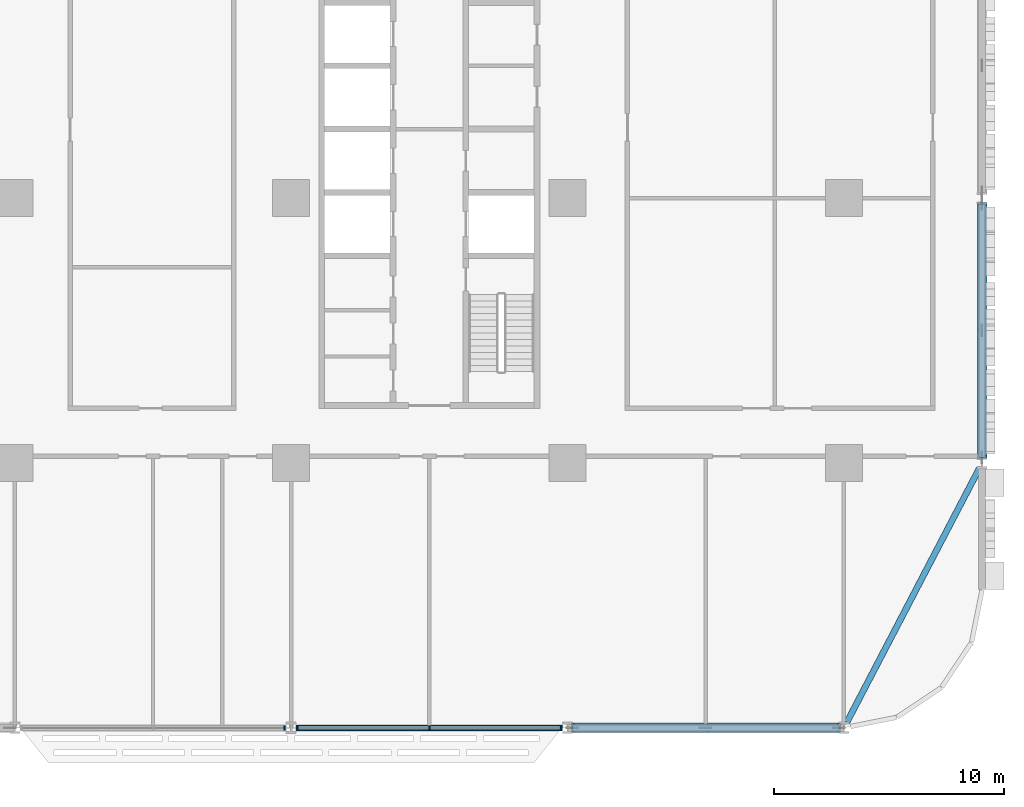
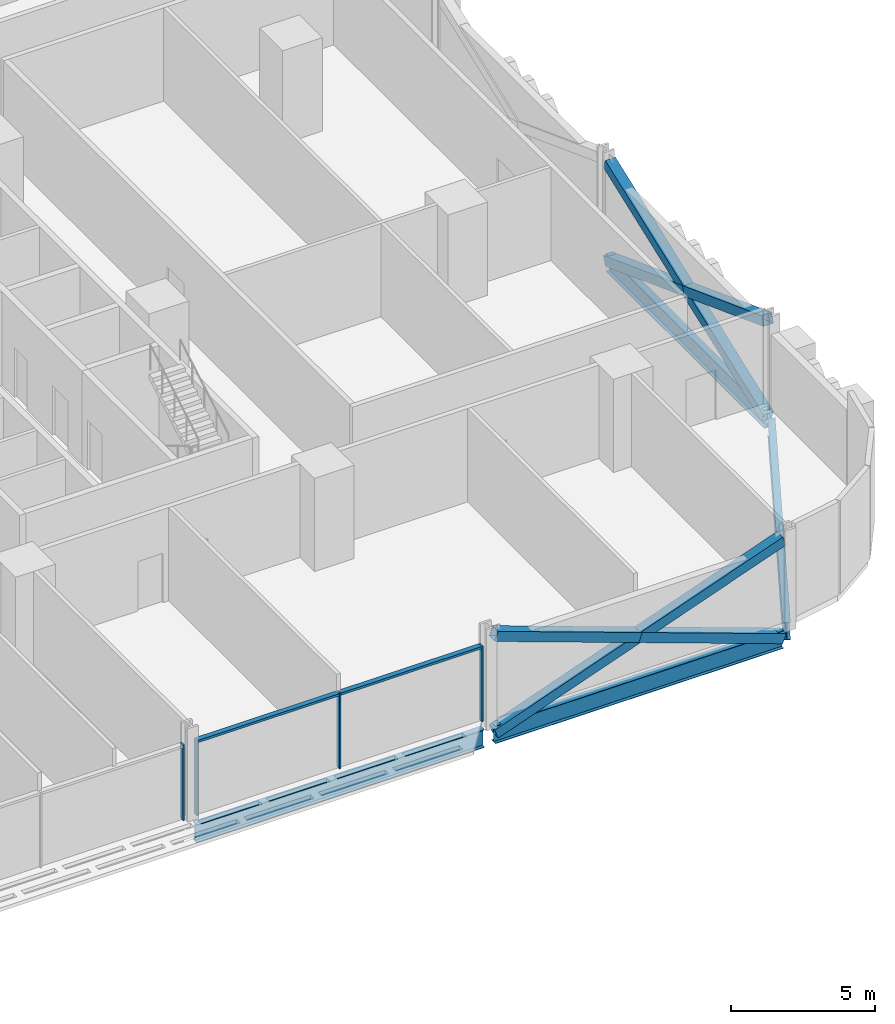
# One storey, part 7 of 29: 12 members, 4 beams, 2 elements without a shape of their own.
"""IFC4 building model written with IfcOpenShell, lengths in metres."""

import ifcopenshell
import ifcopenshell.guid

model = None  # the IFC model being written
_history = None  # IfcOwnerHistory: only IFC2X3 demands one
_inside = {}  # id of a spatial element -> (the spatial element, [elements in it])
_under = {}  # id of a project, library or spatial element -> (it, [spatial elements below it])
_declared = {}  # id of a project -> (the project, [libraries it declares])
_typed = {}  # id of a type object -> (the type object, [elements of that type])
_made_of = {}  # id of a material, layer set ... -> (it, [elements and type objects made of it])


def new_model(schema):
    """Start an empty IFC model of exactly this schema.

    Asked for "IFC4X3", IfcOpenShell would pick the latest addendum, in which some entities
    have other attributes; the version numbers below select the first issue.
    IFC2X3 requires an IfcOwnerHistory on every rooted entity: one is made here for all.
    """
    global model, _history
    if schema == "IFC4X3":
        model = ifcopenshell.file(schema_version=(4, 3, 0, 0))
    else:
        model = ifcopenshell.file(schema=schema)
    _inside.clear()
    _under.clear()
    _declared.clear()
    _typed.clear()
    _made_of.clear()
    _history = None
    if model.schema == "IFC2X3":
        org = make("IfcOrganization", Name="unknown")
        user = make(
            "IfcPersonAndOrganization",
            ThePerson=make("IfcPerson", FamilyName="unknown"),
            TheOrganization=org,
        )
        app = make(
            "IfcApplication",
            ApplicationDeveloper=org,
            Version="unknown",
            ApplicationFullName="unknown",
            ApplicationIdentifier="unknown",
        )
        _history = make(
            "IfcOwnerHistory",
            OwningUser=user,
            OwningApplication=app,
            ChangeAction="ADDED",
            CreationDate=0,
        )
    return model


def make(cls, **values):
    """One entity of the class cls with the attributes given. An attribute that is None is left unset."""
    return model.create_entity(
        cls, **{name: value for name, value in values.items() if value is not None}
    )


def rooted(cls, **values):
    """An entity with a GlobalId (a new one), such as an element, a storey or a relation."""
    return make(cls, GlobalId=ifcopenshell.guid.new(), OwnerHistory=_history, **values)


def si_unit(unit_type, name, prefix=None):
    """IfcSIUnit, for example si_unit("LENGTHUNIT", "METRE", prefix="MILLI")."""
    return make("IfcSIUnit", UnitType=unit_type, Prefix=prefix, Name=name)


def assignment(units):
    """IfcUnitAssignment: the units of a project."""
    return None if units is None else make("IfcUnitAssignment", Units=units)


def point(xyz):
    """IfcCartesianPoint."""
    return None if xyz is None else make("IfcCartesianPoint", Coordinates=xyz)


def direction(xyz):
    """IfcDirection."""
    return None if xyz is None else make("IfcDirection", DirectionRatios=xyz)


def frame(location, z_axis=None, x_axis=None):
    """IfcAxis2Placement3D, a coordinate frame: its origin and axes. An axis left out is left unset."""
    return make(
        "IfcAxis2Placement3D",
        Location=point(location),
        Axis=direction(z_axis),
        RefDirection=direction(x_axis),
    )


def frame_2d(location, x_axis=None):
    """IfcAxis2Placement2D, a coordinate frame in the plane: its origin and x axis."""
    return make(
        "IfcAxis2Placement2D", Location=point(location), RefDirection=direction(x_axis)
    )


def origin():
    """The frame at (0, 0, 0) with its axes left unset."""
    return frame((0.0, 0.0, 0.0))


def origin_2d():
    """The frame at (0, 0) in the plane with its x axis left unset."""
    return frame_2d((0.0, 0.0))


def place(relative_to, where):
    """IfcLocalPlacement: puts the frame where relative to a parent placement (None: the world)."""
    return make(
        "IfcLocalPlacement", PlacementRelTo=relative_to, RelativePlacement=where
    )


def context(
    kind, dimensions, precision=None, world=None, true_north=None, identifier=None
):
    """IfcGeometricRepresentationContext, for example the 3D "Model" context."""
    return make(
        "IfcGeometricRepresentationContext",
        ContextIdentifier=identifier,
        ContextType=kind,
        CoordinateSpaceDimension=dimensions,
        Precision=precision,
        WorldCoordinateSystem=world,
        TrueNorth=true_north,
    )


def subcontext(parent, identifier, kind, view, scale=None):
    """IfcGeometricRepresentationSubContext, for example "Body" below "Model"."""
    return make(
        "IfcGeometricRepresentationSubContext",
        ContextIdentifier=identifier,
        ContextType=kind,
        ParentContext=parent,
        TargetScale=scale,
        TargetView=view,
    )


def project(units=None, contexts=None):
    """IfcProject with its units and contexts."""
    return rooted(
        "IfcProject",
        Name="project",
        RepresentationContexts=contexts,
        UnitsInContext=assignment(units),
    )


def spatial(cls, under=None, at=None, **own):
    """A site, building, storey or space (cls), placed at a placement, below another one or the project."""
    s = rooted(cls, ObjectPlacement=at, **own)
    if under is not None:
        _under.setdefault(under.id(), (under, []))[1].append(s)
    return s


def profile(cls, at=None, kind="AREA", **sizes):
    """A parametric profile (cls). Its sizes go by their IFC names, for example OverallWidth=200.0."""
    return make(cls, ProfileType=kind, Position=at, **sizes)


def rectangle(**sizes):
    """IfcRectangleProfileDef."""
    return profile("IfcRectangleProfileDef", **sizes)


def hollow_rectangle(**sizes):
    """IfcRectangleHollowProfileDef."""
    return profile("IfcRectangleHollowProfileDef", **sizes)


def i_section(**sizes):
    """IfcIShapeProfileDef."""
    return profile("IfcIShapeProfileDef", **sizes)


def extrude(swept, where, along, depth):
    """IfcExtrudedAreaSolid: the profile swept, set in the frame where, extruded along a direction by depth."""
    return make(
        "IfcExtrudedAreaSolid",
        SweptArea=swept,
        Position=where,
        ExtrudedDirection=direction(along),
        Depth=depth,
    )


def shape(context_of_items, identifier, shape_type, items):
    """IfcShapeRepresentation: the items that make up one representation, for example the "Body"."""
    return make(
        "IfcShapeRepresentation",
        ContextOfItems=context_of_items,
        RepresentationIdentifier=identifier,
        RepresentationType=shape_type,
        Items=items,
    )


def material(Name=None, Category=None):
    """IfcMaterial."""
    return make("IfcMaterial", Name=Name, Category=Category)


def material_profile(
    of_material, cross_section, Name=None, Category=None, Priority=None
):
    """IfcMaterialProfile: a cross section and its material."""
    return make(
        "IfcMaterialProfile",
        Name=Name,
        Material=of_material,
        Profile=cross_section,
        Priority=Priority,
        Category=Category,
    )


def profile_set(profiles, Name=None, composite=None):
    """IfcMaterialProfileSet."""
    return make(
        "IfcMaterialProfileSet",
        Name=Name,
        MaterialProfiles=profiles,
        CompositeProfile=composite,
    )


def made_of(thing, what):
    """Note that an element or type object is made of a material, layer set ...; save() writes the relation."""
    if what is not None:
        _made_of.setdefault(what.id(), (what, []))[1].append(thing)
    return thing


def type_object(cls, material=None, **own):
    """A type object (cls), such as IfcWallType, which elements share."""
    return made_of(rooted(cls, **own), material)


def element(
    cls,
    number,
    at=None,
    inside=None,
    cuts=None,
    type_object=None,
    material=None,
    context=None,
    identifier="Body",
    shape_type=None,
    held_by="IfcProductDefinitionShape",
    body=None,
    shapes=None,
    **own,
):
    """One element of the class cls, such as IfcWall. Its Tag is "e" and its number.

    at: its placement. inside: the storey or other place that contains it. cuts: it is an
    opening in that element (IfcRelVoidsElement). A single representation is given by context,
    identifier, shape_type and body (its items); several are given by shapes. held_by: the class
    of the entity that holds the representations. save() writes the other relations.
    """
    e = rooted(cls, Tag="e%d" % number, ObjectPlacement=at, **own)
    if body is not None:
        shapes = [shape(context, identifier, shape_type, body)]
    if shapes is not None:
        e.Representation = make(held_by, Representations=shapes)
    if inside is not None:
        _inside.setdefault(inside.id(), (inside, []))[1].append(e)
    if cuts is not None:
        rooted(
            "IfcRelVoidsElement", RelatingBuildingElement=cuts, RelatedOpeningElement=e
        )
    if type_object is not None:
        _typed.setdefault(type_object.id(), (type_object, []))[1].append(e)
    return made_of(e, material)


def aggregate(whole, parts):
    """IfcRelAggregates: a whole, such as a stair, and the parts it consists of."""
    return rooted("IfcRelAggregates", RelatingObject=whole, RelatedObjects=parts)


def save(model, path):
    """Write the relations noted so far, then the file.

    IfcRelAggregates (storeys below a building ...), IfcRelContainedInSpatialStructure (elements
    in a storey), IfcRelDefinesByType, IfcRelAssociatesMaterial and IfcRelDeclares: one each for
    every whole, place, type object, material and project.
    """
    for whole, parts in _under.values():
        aggregate(whole, parts)
    for where, things in _inside.values():
        rooted(
            "IfcRelContainedInSpatialStructure",
            RelatedElements=things,
            RelatingStructure=where,
        )
    for kind, things in _typed.values():
        rooted("IfcRelDefinesByType", RelatedObjects=things, RelatingType=kind)
    for what, things in _made_of.values():
        rooted("IfcRelAssociatesMaterial", RelatedObjects=things, RelatingMaterial=what)
    for by, libraries in _declared.values():
        rooted("IfcRelDeclares", RelatingContext=by, RelatedDefinitions=libraries)
    model.write(path)


model = new_model("IFC4")

# Units and contexts
model_context = context("Model", 3, precision=1e-05, world=origin(), true_north=direction((0.0, 1.0)))
body_context = subcontext(model_context, "Body", "Model", "MODEL_VIEW")
ifc_project = project(units=[si_unit("LENGTHUNIT", "METRE"), si_unit("AREAUNIT", "SQUARE_METRE"), si_unit("VOLUMEUNIT", "CUBIC_METRE"), si_unit("PLANEANGLEUNIT", "RADIAN"), si_unit("MASSUNIT", "GRAM", prefix="KILO")], contexts=[model_context])

# Site, building, storey
site_placement = place(None, origin())
site = spatial("IfcSite", under=ifc_project, at=site_placement, CompositionType="ELEMENT")
building_placement = place(site_placement, origin())
building = spatial("IfcBuilding", under=site, at=building_placement, Name="Mahtab Terrace Research Tower", CompositionType="ELEMENT")
storey_placement = place(building_placement, frame((0.0, 0.0, 20.10009765625)))
storey = spatial("IfcBuildingStorey", under=building, at=storey_placement, Name="L04", CompositionType="ELEMENT", Elevation=20.10009765625)

# Members
ifc_material_1 = material(Name="Steel ASTM A500 Gr C", Category="steel")
ifc_material_profile_1 = material_profile(ifc_material_1, hollow_rectangle(XDim=0.406494140625, YDim=0.406494140625, WallThickness=0.01904296875, at=origin_2d()), Name="HSS16X16X3/4")
ifc_profile_set_1 = profile_set([ifc_material_profile_1], Name="Steel ASTM A500 Gr C")
member_type_1 = type_object("IfcMemberType", Name="HSS 16x16x3/4 brace XB161634", PredefinedType="BRACE", material=ifc_profile_set_1)
member_1_placement = place(storey_placement, frame((30.2158203125, -23.0, -0.64111328125), z_axis=(0.941388097231, 0.0, 0.337325436917), x_axis=(0.0, 1.0, 0.0)))
element("IfcMember", 1, at=member_1_placement, inside=storey, type_object=member_type_1, Name="Exoskeleton brace L04 18 a", PredefinedType="BRACE", context=body_context, shape_type="SweptSolid", body=[
    extrude(hollow_rectangle(XDim=0.406494140625, YDim=0.406494140625, WallThickness=0.01904296875, at=origin_2d()), origin(), (0.0, 0.0, 1.0), 12.28857421875),
])
for number, where, z_axis, x_axis, name in (
    (2, (41.7841796875, -23.0, -0.64111328125), (-0.941394406025, 0.0, 0.337307830185), (0.0, -1.0, 0.0), "Exoskeleton brace L04 18 b1"),
    (3, (36.0, -23.0, 1.431396484375), (-0.941381788192, 0.0, 0.337343043295), (0.0, -1.0, 0.0), "Exoskeleton brace L04 18 b2"),
):
    element("IfcMember", number, at=place(storey_placement, frame(where, z_axis=z_axis, x_axis=x_axis)), inside=storey, type_object=member_type_1, Name=name, PredefinedType="BRACE", context=body_context, shape_type="SweptSolid", body=[
        extrude(hollow_rectangle(XDim=0.406494140625, YDim=0.406494140625, WallThickness=0.01904296875, at=origin_2d()), origin(), (0.0, 0.0, 1.0), 6.144287109375),
    ])
member_2_placement = place(storey_placement, frame((48.0, -11.251220703125, -0.62548828125), z_axis=(0.0, 0.936668691391, 0.350216736563), x_axis=(-1.0, 0.0, 0.0)))
element("IfcMember", 4, at=member_2_placement, inside=storey, type_object=member_type_1, Name="Exoskeleton brace L04 20 a", PredefinedType="BRACE", context=body_context, shape_type="SweptSolid", body=[
    extrude(hollow_rectangle(XDim=0.406494140625, YDim=0.406494140625, WallThickness=0.01904296875, at=origin_2d()), origin(), (0.0, 0.0, 1.0), 11.746337890625),
])
for number, where, z_axis, x_axis, name in (
    (5, (48.0, -0.248779296875, -0.62548828125), (0.0, -0.936668691391, 0.350216736563), (1.0, 0.0, 0.0), "Exoskeleton brace L04 20 b1"),
    (6, (48.0, -5.75, 1.431396484375), (0.0, -0.936668691391, 0.350216736563), (1.0, 0.0, 0.0), "Exoskeleton brace L04 20 b2"),
):
    element("IfcMember", number, at=place(storey_placement, frame(where, z_axis=z_axis, x_axis=x_axis)), inside=storey, type_object=member_type_1, Name=name, PredefinedType="BRACE", context=body_context, shape_type="SweptSolid", body=[
        extrude(hollow_rectangle(XDim=0.406494140625, YDim=0.406494140625, WallThickness=0.01904296875, at=origin_2d()), origin(), (0.0, 0.0, 1.0), 5.873291015625),
    ])

# Curtain wall, member
ifc_material_2 = material(Name="Laboratory ribbon curtain wall")
curtain_wall_type = type_object("IfcCurtainWallType", Name="Laboratory ribbon curtain wall", PredefinedType="NOTDEFINED", material=ifc_material_2)
curtain_wall_1_placement = place(storey_placement, origin())
curtain_wall_1 = element("IfcCurtainWall", 7, at=curtain_wall_1_placement, inside=storey, type_object=curtain_wall_type, Name="EN.L04.13.26", PredefinedType="NOTDEFINED")
ifc_material_3 = material(Name="Natural anodised aluminium", Category="aluminium")
ifc_material_profile_2 = material_profile(ifc_material_3, rectangle(XDim=0.199951171875, YDim=0.06494140625, at=origin_2d()), Name="MULLION 65x200")
ifc_profile_set_2 = profile_set([ifc_material_profile_2], Name="Natural anodised aluminium")
member_type_2 = type_object("IfcMemberType", Name="Laboratory ribbon curtain wall mullion", PredefinedType="MULLION", material=ifc_profile_set_2)
member_3_placement = place(storey_placement, frame((17.718505859375, -23.0, 0.0), z_axis=(0.0, 0.0, 1.0), x_axis=(0.0, 1.0, 0.0)))
member_3 = element("IfcMember", 8, at=member_3_placement, type_object=member_type_2, Name="CWL-1 mullion 3", PredefinedType="MULLION", context=body_context, shape_type="SweptSolid", body=[
    extrude(rectangle(XDim=0.199951171875, YDim=0.06494140625, at=origin_2d()), origin(), (0.0, 0.0, 1.0), 3.202880859375),
])
aggregate(curtain_wall_1, [member_3])

# Curtain wall, members
curtain_wall_2_placement = place(storey_placement, origin())
curtain_wall_2 = element("IfcCurtainWall", 9, at=curtain_wall_2_placement, inside=storey, type_object=curtain_wall_type, Name="EN.L04.13.27", PredefinedType="NOTDEFINED")
member_4_placement = place(storey_placement, frame((18.281494140625, -23.0, 0.0), z_axis=(0.0, 0.0, 1.0), x_axis=(0.0, 1.0, 0.0)))
member_4 = element("IfcMember", 10, at=member_4_placement, type_object=member_type_2, Name="CWL-1 mullion 1", PredefinedType="MULLION", context=body_context, shape_type="SweptSolid", body=[
    extrude(rectangle(XDim=0.199951171875, YDim=0.06494140625, at=origin_2d()), origin(), (0.0, 0.0, 1.0), 3.202880859375),
])
member_5_placement = place(storey_placement, frame((24.0, -23.0, 0.0), z_axis=(0.0, 0.0, 1.0), x_axis=(0.0, 1.0, 0.0)))
member_5 = element("IfcMember", 11, at=member_5_placement, type_object=member_type_2, Name="CWL-1 mullion 2", PredefinedType="MULLION", context=body_context, shape_type="SweptSolid", body=[
    extrude(rectangle(XDim=0.199951171875, YDim=0.06494140625, at=origin_2d()), origin(), (0.0, 0.0, 1.0), 3.202880859375),
])
member_6_placement = place(storey_placement, frame((29.718505859375, -23.0, 0.0), z_axis=(0.0, 0.0, 1.0), x_axis=(0.0, 1.0, 0.0)))
member_6 = element("IfcMember", 12, at=member_6_placement, type_object=member_type_2, Name="CWL-1 mullion 3", PredefinedType="MULLION", context=body_context, shape_type="SweptSolid", body=[
    extrude(rectangle(XDim=0.199951171875, YDim=0.06494140625, at=origin_2d()), origin(), (0.0, 0.0, 1.0), 3.202880859375),
])
ifc_material_profile_3 = material_profile(ifc_material_3, rectangle(XDim=0.199951171875, YDim=0.10009765625, at=origin_2d()), Name="TRANSOM 100x200")
ifc_profile_set_3 = profile_set([ifc_material_profile_3], Name="Natural anodised aluminium")
member_type_3 = type_object("IfcMemberType", Name="Laboratory ribbon curtain wall transom", PredefinedType="USERDEFINED", material=ifc_profile_set_3)
member_7_placement = place(storey_placement, frame((18.31396484375, -23.0, 3.153076171875), z_axis=(1.0, 0.0, 0.0), x_axis=(0.0, 1.0, 0.0)))
member_7 = element("IfcMember", 13, at=member_7_placement, type_object=member_type_3, Name="CWL-1 transom 1", ObjectType="TRANSOM", PredefinedType="USERDEFINED", context=body_context, shape_type="SweptSolid", body=[
    extrude(rectangle(XDim=0.199951171875, YDim=0.10009765625, at=origin_2d()), origin(), (0.0, 0.0, 1.0), 5.653564453125),
])
member_8_placement = place(storey_placement, frame((24.032470703125, -23.0, 3.153076171875), z_axis=(1.0, 0.0, 0.0), x_axis=(0.0, 1.0, 0.0)))
member_8 = element("IfcMember", 14, at=member_8_placement, type_object=member_type_3, Name="CWL-1 transom 2", ObjectType="TRANSOM", PredefinedType="USERDEFINED", context=body_context, shape_type="SweptSolid", body=[
    extrude(rectangle(XDim=0.199951171875, YDim=0.10009765625, at=origin_2d()), origin(), (0.0, 0.0, 1.0), 5.653564453125),
])
aggregate(curtain_wall_2, [member_4, member_5, member_6, member_7, member_8])

# Beams
ifc_material_4 = material(Name="Steel ASTM A992 Gr 50", Category="steel")
ifc_material_profile_4 = material_profile(ifc_material_4, i_section(OverallWidth=0.2666015625, OverallDepth=0.7568359375, WebThickness=0.013916015625, FlangeThickness=0.019287109375, at=origin_2d()), Name="W30X108")
ifc_profile_set_4 = profile_set([ifc_material_profile_4], Name="Steel ASTM A992 Gr 50")
beam_type = type_object("IfcBeamType", Name="W30x108 beam BS30108", PredefinedType="BEAM", material=ifc_profile_set_4)
for number, where, z_axis, x_axis, name in (
    (15, (18.2158203125, -23.0, -0.718505859375), (1.0, 0.0, 0.0), (0.0, 1.0, 0.0), "Spandrel beam L04 17"),
    (16, (30.2158203125, -23.0, -0.718505859375), (1.0, 0.0, 0.0), (0.0, 1.0, 0.0), "Spandrel beam L04 18"),
):
    element("IfcBeam", number, at=place(storey_placement, frame(where, z_axis=z_axis, x_axis=x_axis)), inside=storey, type_object=beam_type, Name=name, PredefinedType="BEAM", context=body_context, shape_type="SweptSolid", body=[
        extrude(i_section(OverallWidth=0.2666015625, OverallDepth=0.7568359375, WebThickness=0.013916015625, FlangeThickness=0.019287109375, at=origin_2d()), origin(), (0.0, 0.0, 1.0), 11.568359375),
    ])
beam_1_placement = place(storey_placement, frame((42.1298828125, -22.751220703125, -0.718505859375), z_axis=(0.462555249274, 0.88659045865, 0.0), x_axis=(-0.88659045865, 0.462555249274, 0.0)))
element("IfcBeam", 17, at=beam_1_placement, inside=storey, type_object=beam_type, Name="Spandrel beam L04 19", PredefinedType="BEAM", context=body_context, shape_type="SweptSolid", body=[
    extrude(i_section(OverallWidth=0.2666015625, OverallDepth=0.7568359375, WebThickness=0.013916015625, FlangeThickness=0.019287109375, at=origin_2d()), origin(), (0.0, 0.0, 1.0), 12.409912109375),
])
beam_2_placement = place(storey_placement, frame((48.0, -11.251220703125, -0.718505859375), z_axis=(0.0, 1.0, 0.0), x_axis=(-1.0, 0.0, 0.0)))
element("IfcBeam", 18, at=beam_2_placement, inside=storey, type_object=beam_type, Name="Spandrel beam L04 20", PredefinedType="BEAM", context=body_context, shape_type="SweptSolid", body=[
    extrude(i_section(OverallWidth=0.2666015625, OverallDepth=0.7568359375, WebThickness=0.013916015625, FlangeThickness=0.019287109375, at=origin_2d()), origin(), (0.0, 0.0, 1.0), 11.00244140625),
])

save(model, "model.ifc")
